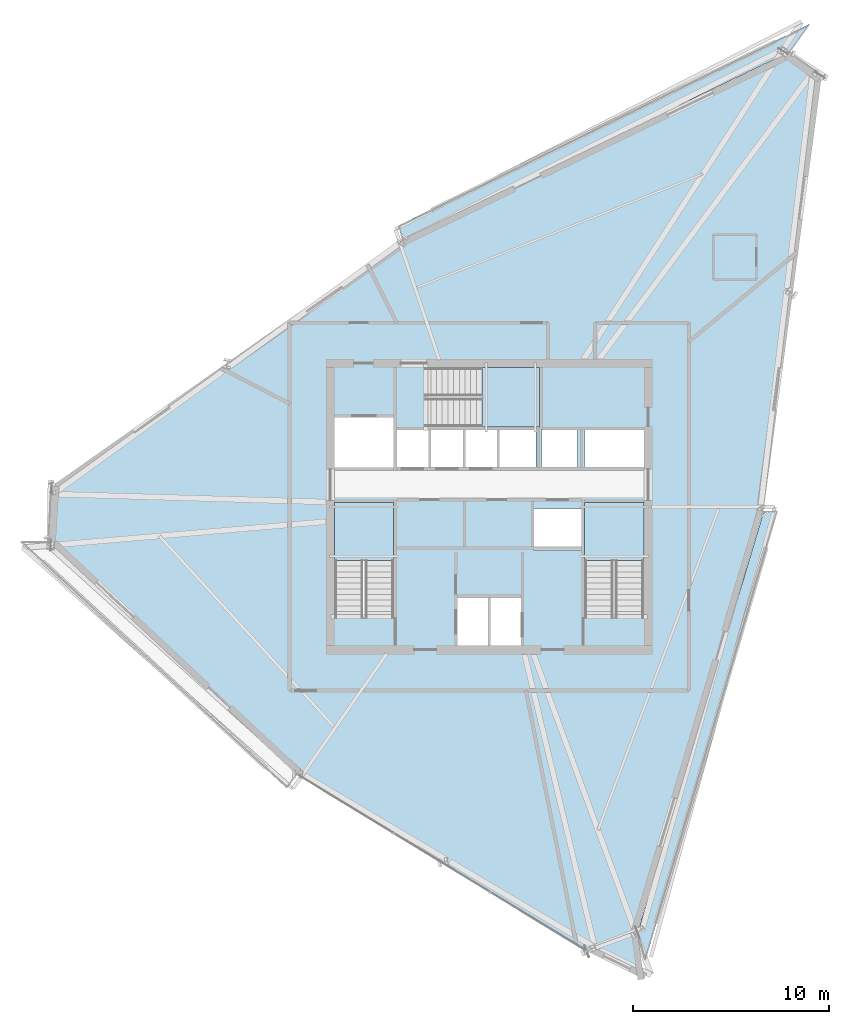
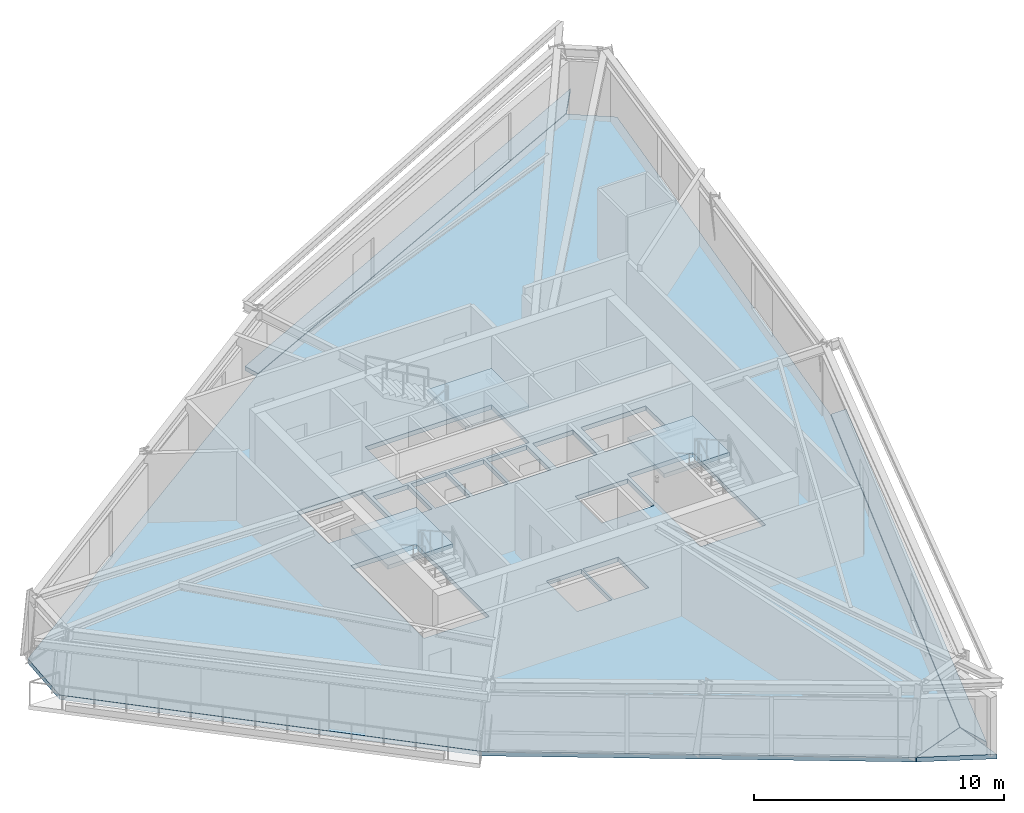
# One storey, part 6 of 14: 7 slabs, 3 elements without a shape of their own.
"""IFC4 building model written with IfcOpenShell, lengths in metres."""

from ifc_helpers import new_model, si_unit, direction, frame, origin, place, context, subcontext, project, spatial, polyline, outline, extrude, material, layer, layer_set, type_object, element, aggregate, save


model = new_model("IFC4")

# Units and contexts
model_context = context("Model", 3, precision=1e-05, world=origin(), true_north=direction((0.0, 1.0)))
body_context = subcontext(model_context, "Body", "Model", "MODEL_VIEW")
ifc_project = project(units=[si_unit("LENGTHUNIT", "METRE"), si_unit("AREAUNIT", "SQUARE_METRE"), si_unit("VOLUMEUNIT", "CUBIC_METRE"), si_unit("PLANEANGLEUNIT", "RADIAN"), si_unit("MASSUNIT", "GRAM", prefix="KILO")], contexts=[model_context])

# Site, building, storey
site_placement = place(None, origin())
site = spatial("IfcSite", under=ifc_project, at=site_placement, CompositionType="ELEMENT")
building_placement = place(site_placement, origin())
building = spatial("IfcBuilding", under=site, at=building_placement, Name="Olszyna Solenne Hotel", CompositionType="ELEMENT")
storey_placement = place(building_placement, frame((0.0, 0.0, 256.10009765625)))
storey = spatial("IfcBuildingStorey", under=building, at=storey_placement, Name="L68", CompositionType="ELEMENT", Elevation=256.10009765625)

# Stair, slab
ifc_material_1 = material(Name="Concrete C40/50", Category="concrete")
stair_type = type_object("IfcStairType", Name="STR-C1", PredefinedType="TWO_QUARTER_WINDING_STAIR", material=ifc_material_1)
stair_1_placement = place(storey_placement, origin())
stair_1 = element("IfcStair", 1, at=stair_1_placement, inside=storey, type_object=stair_type, Name="L68 ST1", PredefinedType="TWO_QUARTER_WINDING_STAIR")
ifc_layer_1 = layer(ifc_material_1, 0.18994140625, Name="Concrete C40/50")
ifc_layer_set_1 = layer_set([ifc_layer_1], Name="Concrete C40/50")
slab_type_1 = type_object("IfcSlabType", Name="SL-LN190", PredefinedType="LANDING", material=ifc_layer_set_1)
slab_1_placement = place(storey_placement, frame((0.0, 0.0, 1.599853515625)))
slab_1 = element("IfcSlab", 2, at=slab_1_placement, type_object=slab_type_1, Name="ST1 landing 1", PredefinedType="LANDING", context=body_context, shape_type="SweptSolid", body=[
    extrude(outline(polyline([(33.1201171875, 23.85009765625), (33.1201171875, 26.800048828125), (30.10009765625, 26.800048828125), (30.10009765625, 23.85009765625), (33.1201171875, 23.85009765625)])), origin(), (0.0, 0.0, 1.0), 0.199951171875),
])
aggregate(stair_1, [slab_1])

stair_2_placement = place(storey_placement, origin())
stair_2 = element("IfcStair", 3, at=stair_2_placement, inside=storey, type_object=stair_type, Name="L68 ST2", PredefinedType="TWO_QUARTER_WINDING_STAIR")
slab_2_placement = place(storey_placement, frame((0.0, 0.0, 1.599853515625)))
slab_2 = element("IfcSlab", 4, at=slab_2_placement, type_object=slab_type_1, Name="ST2 landing 1", PredefinedType="LANDING", context=body_context, shape_type="SweptSolid", body=[
    extrude(outline(polyline([(45.89990234375, 23.85009765625), (45.89990234375, 26.800048828125), (42.8798828125, 26.800048828125), (42.8798828125, 23.85009765625), (45.89990234375, 23.85009765625)])), origin(), (0.0, 0.0, 1.0), 0.199951171875),
])
aggregate(stair_2, [slab_2])

stair_3_placement = place(storey_placement, origin())
stair_3 = element("IfcStair", 5, at=stair_3_placement, inside=storey, type_object=stair_type, Name="L68 ST3", PredefinedType="TWO_QUARTER_WINDING_STAIR")
slab_3_placement = place(storey_placement, frame((0.0, 0.0, 1.599853515625)))
slab_3 = element("IfcSlab", 6, at=slab_3_placement, type_object=slab_type_1, Name="ST3 landing 1", PredefinedType="LANDING", context=body_context, shape_type="SweptSolid", body=[
    extrude(outline(polyline([(37.6298828125, 30.679931640625), (40.580078125, 30.679931640625), (40.580078125, 33.699951171875), (37.6298828125, 33.699951171875), (37.6298828125, 30.679931640625)])), origin(), (0.0, 0.0, 1.0), 0.199951171875),
])
aggregate(stair_3, [slab_3])

# Slabs
ifc_material_2 = material(Name="Precast concrete C45/55", Category="concrete")
ifc_layer_2 = layer(ifc_material_2, 0.199951171875, Name="Precast concrete C45/55")
ifc_layer_set_2 = layer_set([ifc_layer_2], Name="Precast concrete C45/55")
slab_type_2 = type_object("IfcSlabType", Name="SL-LOG200", PredefinedType="FLOOR", material=ifc_layer_set_2)
slab_4_placement = place(storey_placement, frame((0.0, 0.0, -0.2001953125)))
element("IfcSlab", 7, at=slab_4_placement, inside=storey, type_object=slab_type_2, Name="Exterior loggia balcony slab SL-L68-LG1", PredefinedType="FLOOR", context=body_context, shape_type="SweptSolid", body=[
    extrude(outline(polyline([(33.581787109375, 40.2744140625), (53.322021484375, 49.822265625), (53.3232421875, 49.82275390625), (53.32470703125, 49.8232421875), (53.326171875, 49.823486328125), (53.32763671875, 49.82373046875), (53.3291015625, 49.82373046875), (53.33056640625, 49.823486328125), (53.33203125, 49.8232421875), (53.33349609375, 49.822998046875), (53.334716796875, 49.822265625), (53.336181640625, 49.82177734375), (53.337158203125, 49.82080078125), (54.36474609375, 51.257080078125), (33.378173828125, 40.976806640625), (33.581787109375, 40.2744140625)])), origin(), (0.0, 0.0, 1.0), 0.2001953125),
])
slab_5_placement = place(storey_placement, frame((0.0, 0.0, -0.2001953125)))
element("IfcSlab", 8, at=slab_5_placement, inside=storey, type_object=slab_type_2, Name="Exterior loggia balcony slab SL-L68-LG3", PredefinedType="FLOOR", context=body_context, shape_type="SweptSolid", body=[
    extrude(outline(polyline([(52.028564453125, 26.34765625), (52.0283203125, 26.345458984375), (52.028076171875, 26.34423828125), (52.02783203125, 26.34326171875), (45.58154296875, 4.833251953125), (45.596435546875, 4.72998046875), (45.981689453125, 3.400146484375), (52.7392578125, 26.354736328125), (52.028564453125, 26.34765625)])), origin(), (0.0, 0.0, 1.0), 0.2001953125),
])
ifc_material_3 = material(Name="Concrete C50/60", Category="concrete")
ifc_layer_3 = layer(ifc_material_3, 0.219970703125, Name="Concrete C50/60")
ifc_layer_set_3 = layer_set([ifc_layer_3], Name="Concrete C50/60")
slab_type_3 = type_object("IfcSlabType", Name="SL-TW225", PredefinedType="FLOOR", material=ifc_layer_set_3)
slab_6_placement = place(storey_placement, frame((0.0, 0.0, -0.22021484375)))
element("IfcSlab", 9, at=slab_6_placement, inside=storey, type_object=slab_type_3, Name="Floor slab SL-TW225 SL-L68-01", PredefinedType="FLOOR", context=body_context, shape_type="SweptSolid", body=[
    extrude(outline(polyline([(54.99072265625, 48.60791015625), (53.32861328125, 49.80859375), (33.5859375, 40.259765625), (15.64208984375, 27.65087890625), (15.473876953125, 24.813720703125), (28.162109375, 12.9365234375), (42.99853515625, 3.884521484375), (45.566162109375, 4.83447265625), (52.013427734375, 26.347412109375), (54.99072265625, 48.60791015625)]), holes=[polyline([(30.10009765625, 20.949951171875), (33.1201171875, 20.949951171875), (33.1201171875, 26.800048828125), (30.10009765625, 26.800048828125), (30.10009765625, 20.949951171875)]), polyline([(42.8798828125, 20.949951171875), (45.89990234375, 20.949951171875), (45.89990234375, 26.800048828125), (42.8798828125, 26.800048828125), (42.8798828125, 20.949951171875)]), polyline([(34.72998046875, 30.679931640625), (40.580078125, 30.679931640625), (40.580078125, 33.699951171875), (34.72998046875, 33.699951171875), (34.72998046875, 30.679931640625)]), polyline([(36.340087890625, 19.5), (37.9599609375, 19.5), (37.9599609375, 21.9599609375), (36.340087890625, 21.9599609375), (36.340087890625, 19.5)]), polyline([(38.0400390625, 19.5), (39.659912109375, 19.5), (39.659912109375, 21.9599609375), (38.0400390625, 21.9599609375), (38.0400390625, 19.5)]), polyline([(30.10009765625, 28.60009765625), (33.1201171875, 28.60009765625), (33.1201171875, 31.159912109375), (30.10009765625, 31.159912109375), (30.10009765625, 28.60009765625)]), polyline([(40.280029296875, 24.360107421875), (42.719970703125, 24.360107421875), (42.719970703125, 26.5), (40.280029296875, 26.5), (40.280029296875, 24.360107421875)]), polyline([(33.280029296875, 28.60009765625), (34.89990234375, 28.60009765625), (34.89990234375, 30.550048828125), (33.280029296875, 30.550048828125), (33.280029296875, 28.60009765625)]), polyline([(35.030029296875, 28.60009765625), (36.64990234375, 28.60009765625), (36.64990234375, 30.550048828125), (35.030029296875, 30.550048828125), (35.030029296875, 28.60009765625)]), polyline([(36.780029296875, 28.60009765625), (38.39990234375, 28.60009765625), (38.39990234375, 30.550048828125), (36.780029296875, 30.550048828125), (36.780029296875, 28.60009765625)]), polyline([(38.530029296875, 28.60009765625), (40.389892578125, 28.60009765625), (40.389892578125, 30.550048828125), (38.530029296875, 30.550048828125), (38.530029296875, 28.60009765625)]), polyline([(40.659912109375, 28.60009765625), (42.52001953125, 28.60009765625), (42.52001953125, 30.550048828125), (40.659912109375, 30.550048828125), (40.659912109375, 28.60009765625)]), polyline([(42.8798828125, 28.60009765625), (45.89990234375, 28.60009765625), (45.89990234375, 30.550048828125), (42.8798828125, 30.550048828125), (42.8798828125, 28.60009765625)])]), origin(), (0.0, 0.0, 1.0), 0.22021484375),
])
slab_7_placement = place(storey_placement, frame((0.0, 0.0, -0.22021484375)))
element("IfcSlab", 10, at=slab_7_placement, inside=storey, type_object=slab_type_3, Name="Faceted glass-prism floor slab SL-L68-PR", PredefinedType="FLOOR", context=body_context, shape_type="SweptSolid", body=[
    extrude(outline(polyline([(45.567626953125, 4.82421875), (43.010986328125, 3.87841796875), (45.909912109375, 2.455810546875), (45.567626953125, 4.82421875)])), origin(), (0.0, 0.0, 1.0), 0.22021484375),
])

save(model, "model.ifc")
